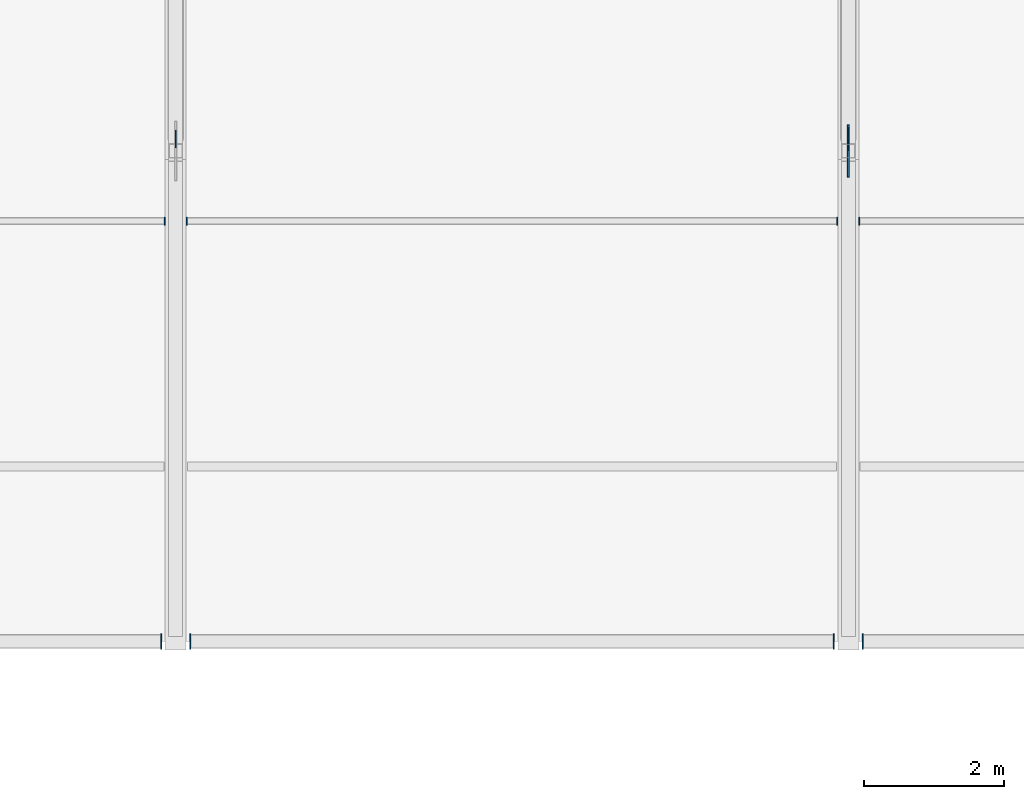
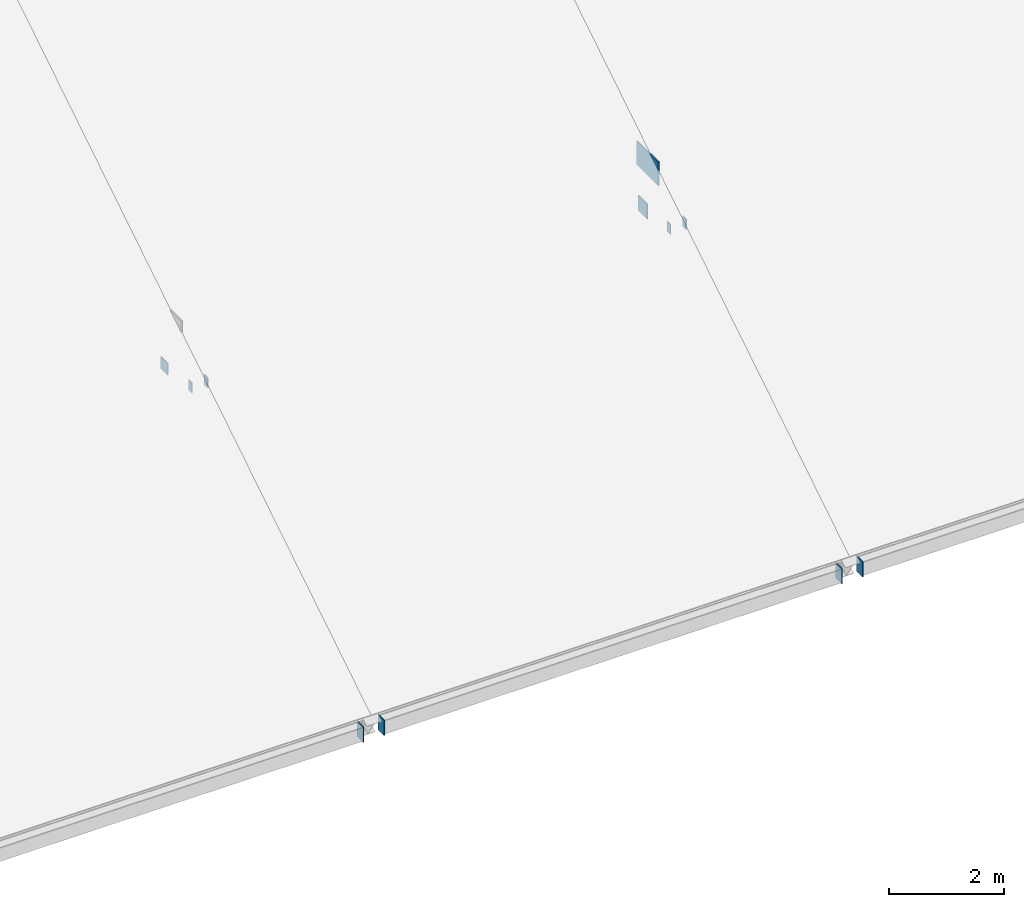
# One storey, part 38 of 66: 11 plates.
"""IFC4 building model written with IfcOpenShell, lengths in metres."""

from ifc_helpers import new_model, si_unit, direction, frame, origin, origin_2d, place, context, subcontext, project, spatial, rectangle, extrude, material, layer, layer_set, type_object, element, save


model = new_model("IFC4")

# Units and contexts
model_context = context("Model", 3, precision=1e-05, world=origin(), true_north=direction((0.0, 1.0)))
body_context = subcontext(model_context, "Body", "Model", "MODEL_VIEW")
ifc_project = project(units=[si_unit("LENGTHUNIT", "METRE"), si_unit("AREAUNIT", "SQUARE_METRE"), si_unit("VOLUMEUNIT", "CUBIC_METRE"), si_unit("PLANEANGLEUNIT", "RADIAN"), si_unit("MASSUNIT", "GRAM", prefix="KILO")], contexts=[model_context])

# Site, building, storey
site_placement = place(None, origin())
site = spatial("IfcSite", under=ifc_project, at=site_placement, CompositionType="ELEMENT")
building_placement = place(site_placement, origin())
building = spatial("IfcBuilding", under=site, at=building_placement, Name="Yeouljin Market Hall", CompositionType="ELEMENT")
storey_placement = place(building_placement, frame((0.0, 0.0, 23.39990234375)))
storey = spatial("IfcBuildingStorey", under=building, at=storey_placement, Name="RF", CompositionType="ELEMENT", Elevation=23.39990234375)

# Plates
ifc_material_1 = material(Name="Steel SM355", Category="steel")
ifc_layer_1 = layer(ifc_material_1, 0.01611328125)
ifc_layer_set_1 = layer_set([ifc_layer_1], Name="Steel SM355")
plate_type_1 = type_object("IfcPlateType", Name="CapPlate_220x120x16", PredefinedType="SHEET", material=ifc_layer_set_1)
for number, where, z_axis, x_axis, name in (
    (1, (64.0419921875, 42.0, -8.71826171875), (0.0, 0.0, 1.0), (0.0, 1.0, 0.0), "Purlin end-cap plate 0098"),
    (2, (64.35791015625, 42.0, -8.71826171875), (0.0, 0.0, 1.0), (0.0, 1.0, 0.0), "Purlin end-cap plate 0109"),
    (3, (73.64208984375, 42.0, -8.71826171875), (0.0, 0.0, 1.0), (0.0, 1.0, 0.0), "Purlin end-cap plate 0110"),
    (4, (73.9580078125, 42.0, -8.71826171875), (0.0, 0.0, 1.0), (0.0, 1.0, 0.0), "Purlin end-cap plate 0133"),
):
    element("IfcPlate", number, at=place(storey_placement, frame(where, z_axis=z_axis, x_axis=x_axis)), inside=storey, type_object=plate_type_1, Name=name, PredefinedType="SHEET", context=body_context, shape_type="SweptSolid", body=[
        extrude(rectangle(XDim=0.1201171875, YDim=0.01611328125, at=origin_2d()), origin(), (0.0, 0.0, 1.0), 0.219970703125),
    ])
ifc_material_2 = material(Name="Steel SM355", Category="steel")
ifc_layer_2 = layer(ifc_material_2, 0.01611328125)
ifc_layer_set_2 = layer_set([ifc_layer_2], Name="Steel SM355")
plate_type_2 = type_object("IfcPlateType", Name="CapPlate_250x250x16", PredefinedType="SHEET", material=ifc_layer_set_2)
plate_1_placement = place(storey_placement, frame((64.199951171875, 43.172119140625, -9.065673828125), z_axis=(0.0, 0.0, 1.0), x_axis=(0.0, 1.0, 0.0)))
element("IfcPlate", 5, at=plate_1_placement, inside=storey, type_object=plate_type_2, Name="Hollow web end-cap plate 0013", PredefinedType="SHEET", context=body_context, shape_type="SweptSolid", body=[
    extrude(rectangle(XDim=0.25, YDim=0.01611328125, at=origin_2d()), origin(), (0.0, 0.0, 1.0), 0.25),
])
ifc_material_3 = material(Name="Steel SM355", Category="steel")
ifc_layer_3 = layer(ifc_material_3, 0.01611328125)
ifc_layer_set_3 = layer_set([ifc_layer_3], Name="Steel SM355")
plate_type_3 = type_object("IfcPlateType", Name="CapPlate_320x220x16", PredefinedType="SHEET", material=ifc_layer_set_3)
for number, where, z_axis, x_axis, name in (
    (6, (63.991943359375, 36.0, -12.43994140625), (0.0, 0.0, 1.0), (0.0, 1.0, 0.0), "Eaves girder end-cap plate S03-E"),
    (7, (64.407958984375, 36.0, -12.43994140625), (0.0, 0.0, 1.0), (0.0, 1.0, 0.0), "Eaves girder end-cap plate S04-W"),
    (8, (73.592041015625, 36.0, -12.43994140625), (0.0, 0.0, 1.0), (0.0, 1.0, 0.0), "Eaves girder end-cap plate S04-E"),
    (9, (74.008056640625, 36.0, -12.43994140625), (0.0, 0.0, 1.0), (0.0, 1.0, 0.0), "Eaves girder end-cap plate S05-W"),
):
    element("IfcPlate", number, at=place(storey_placement, frame(where, z_axis=z_axis, x_axis=x_axis)), inside=storey, type_object=plate_type_3, Name=name, PredefinedType="SHEET", context=body_context, shape_type="SweptSolid", body=[
        extrude(rectangle(XDim=0.219970703125, YDim=0.01611328125, at=origin_2d()), origin(), (0.0, 0.0, 1.0), 0.320068359375),
    ])
ifc_material_4 = material(Name="Steel SM355", Category="steel")
ifc_layer_4 = layer(ifc_material_4, 0.02001953125)
ifc_layer_set_4 = layer_set([ifc_layer_4], Name="Steel SM355")
plate_type_4 = type_object("IfcPlateType", Name="CapPlate_320x320x20", PredefinedType="SHEET", material=ifc_layer_set_4)
plate_2_placement = place(storey_placement, frame((73.800048828125, 43.172119140625, -9.1005859375), z_axis=(0.0, 0.0, 1.0), x_axis=(0.0, 1.0, 0.0)))
element("IfcPlate", 10, at=plate_2_placement, inside=storey, type_object=plate_type_4, Name="Hollow web end-cap plate 0017", PredefinedType="SHEET", context=body_context, shape_type="SweptSolid", body=[
    extrude(rectangle(XDim=0.320068359375, YDim=0.02001953125, at=origin_2d()), origin(), (0.0, 0.0, 1.0), 0.320068359375),
])
ifc_material_5 = material(Name="Steel SM355", Category="steel")
ifc_layer_5 = layer(ifc_material_5, 0.02392578125)
ifc_layer_set_5 = layer_set([ifc_layer_5], Name="Steel SM355")
plate_type_5 = type_object("IfcPlateType", Name="GussetPlate_750x500x24", PredefinedType="USERDEFINED", material=ifc_layer_set_5)
plate_3_placement = place(storey_placement, frame((73.800048828125, 43.0, -8.14990234375), z_axis=(0.0, 0.0, 1.0), x_axis=(0.0, 1.0, 0.0)))
element("IfcPlate", 11, at=plate_3_placement, inside=storey, type_object=plate_type_5, Name="Truss node gusset plate 021", ObjectType="GUSSET PLATE", PredefinedType="USERDEFINED", context=body_context, shape_type="SweptSolid", body=[
    extrude(rectangle(XDim=0.75, YDim=0.02392578125, at=origin_2d()), origin(), (0.0, 0.0, 1.0), 0.5),
])

save(model, "model.ifc")
